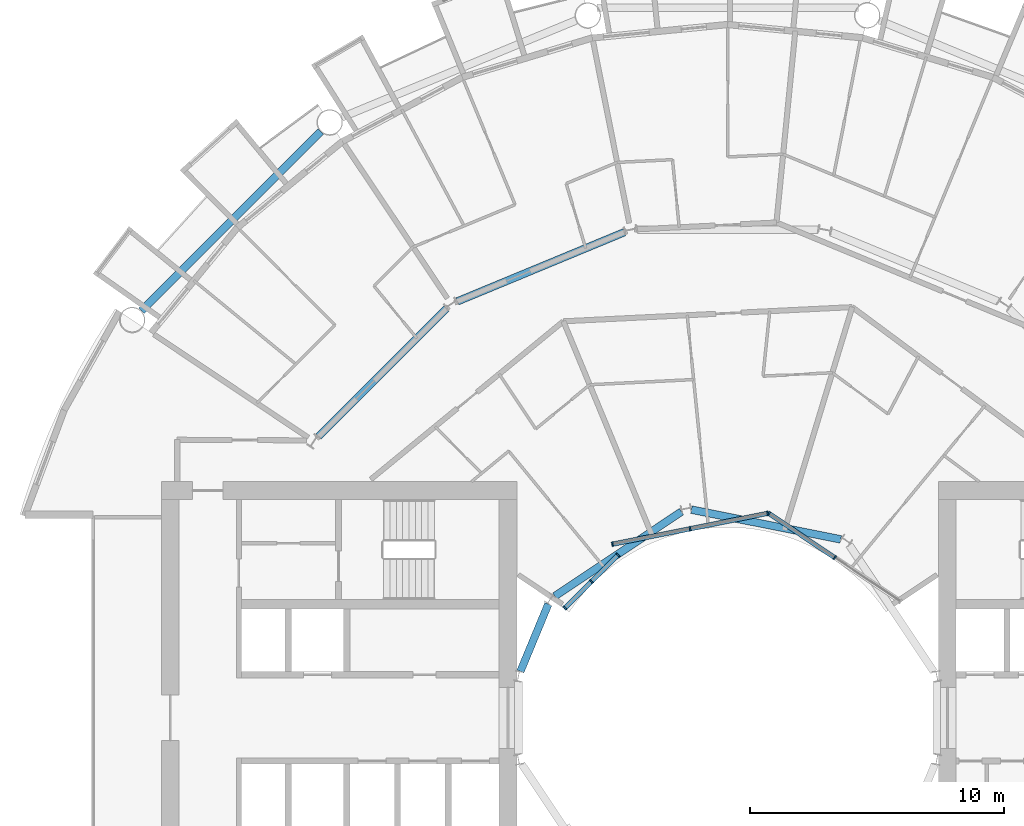
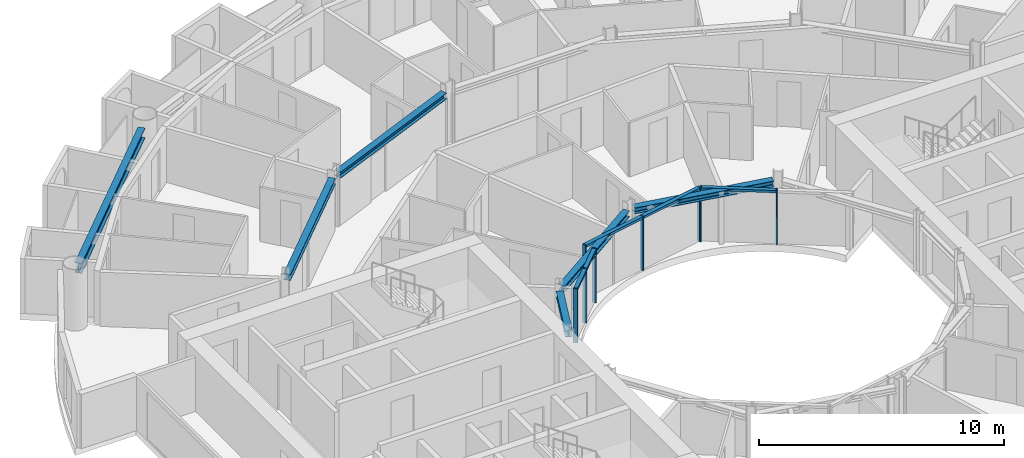
# One storey, part 7 of 26: 13 members, 6 beams, 3 elements without a shape of their own.
"""IFC4 building model written with IfcOpenShell, lengths in metres."""

from ifc_helpers import new_model, si_unit, direction, frame, origin, origin_2d, place, context, subcontext, project, spatial, rectangle, i_section, extrude, material, layer, layer_set, material_profile, profile_set, type_object, element, aggregate, save


model = new_model("IFC4")

# Units and contexts
model_context = context("Model", 3, precision=1e-05, world=origin(), true_north=direction((0.0, 1.0)))
body_context = subcontext(model_context, "Body", "Model", "MODEL_VIEW")
ifc_project = project(units=[si_unit("LENGTHUNIT", "METRE"), si_unit("AREAUNIT", "SQUARE_METRE"), si_unit("VOLUMEUNIT", "CUBIC_METRE"), si_unit("PLANEANGLEUNIT", "RADIAN"), si_unit("MASSUNIT", "GRAM", prefix="KILO")], contexts=[model_context])

# Site, building, storey
site_placement = place(None, origin())
site = spatial("IfcSite", under=ifc_project, at=site_placement, CompositionType="ELEMENT")
building_placement = place(site_placement, origin())
building = spatial("IfcBuilding", under=site, at=building_placement, Name="Maasbend Ring Residences", CompositionType="ELEMENT")
storey_placement = place(building_placement, frame((0.0, 0.0, 69.699951171875)))
storey = spatial("IfcBuildingStorey", under=building, at=storey_placement, Name="L19", CompositionType="ELEMENT", Elevation=69.699951171875)

# Curtain wall, members
ifc_material_1 = material(Name="Aluminium and clear glass", Category="aluminium")
ifc_layer = layer(ifc_material_1, 0.179931640625)
ifc_layer_set = layer_set([ifc_layer], Name="CW-W")
curtain_wall_type = type_object("IfcCurtainWallType", Name="CW-W", PredefinedType="NOTDEFINED", material=ifc_layer_set)
curtain_wall_1_placement = place(storey_placement, origin())
curtain_wall_1 = element("IfcCurtainWall", 1, at=curtain_wall_1_placement, inside=storey, type_object=curtain_wall_type, Name="Well curtain wall N1", PredefinedType="NOTDEFINED")
ifc_material_2 = material(Name="Aluminium 6063-T6", Category="aluminium")
ifc_material_profile_1 = material_profile(ifc_material_2, rectangle(XDim=0.179931640625, YDim=0.06005859375, at=origin_2d()), Name="AL 180x60")
ifc_profile_set_1 = profile_set([ifc_material_profile_1], Name="Aluminium 6063-T6")
member_type_1 = type_object("IfcMemberType", Name="CWM-W", PredefinedType="MULLION", material=ifc_profile_set_1)
member_1_placement = place(storey_placement, frame((4.216796875, 6.310791015625, 0.0), z_axis=(0.0, 0.0, 1.0), x_axis=(-0.55557023302, -0.831469612303, 0.0)))
member_1 = element("IfcMember", 2, at=member_1_placement, type_object=member_type_1, Name="Mullion well face", PredefinedType="MULLION", context=body_context, shape_type="SweptSolid", body=[
    extrude(rectangle(XDim=0.179931640625, YDim=0.06005859375, at=origin_2d()), origin(), (0.0, 0.0, 1.0), 2.699951171875),
])
member_2_placement = place(storey_placement, frame((1.627685546875, 8.040771484375, 0.0), z_axis=(0.0, 0.0, 1.0), x_axis=(-0.55557023302, -0.831469612303, 0.0)))
member_2 = element("IfcMember", 3, at=member_2_placement, type_object=member_type_1, Name="Mullion well face", PredefinedType="MULLION", context=body_context, shape_type="SweptSolid", body=[
    extrude(rectangle(XDim=0.179931640625, YDim=0.06005859375, at=origin_2d()), origin(), (0.0, 0.0, 1.0), 2.699951171875),
])

curtain_wall_2_placement = place(storey_placement, origin())
curtain_wall_2 = element("IfcCurtainWall", 4, at=curtain_wall_2_placement, inside=storey, type_object=curtain_wall_type, Name="Well curtain wall N2", PredefinedType="NOTDEFINED")
member_3_placement = place(storey_placement, frame((1.5732421875, 8.0517578125, 0.0), z_axis=(0.0, 0.0, 1.0), x_axis=(0.195090322016, -0.980785280403, 0.0)))
member_3 = element("IfcMember", 5, at=member_3_placement, type_object=member_type_1, Name="Mullion well face", PredefinedType="MULLION", context=body_context, shape_type="SweptSolid", body=[
    extrude(rectangle(XDim=0.179931640625, YDim=0.06005859375, at=origin_2d()), origin(), (0.0, 0.0, 1.0), 2.699951171875),
])
member_4_placement = place(storey_placement, frame((-1.480712890625, 7.444091796875, 0.0), z_axis=(0.0, 0.0, 1.0), x_axis=(0.195090322016, -0.980785280403, 0.0)))
member_4 = element("IfcMember", 6, at=member_4_placement, type_object=member_type_1, Name="Mullion well face", PredefinedType="MULLION", context=body_context, shape_type="SweptSolid", body=[
    extrude(rectangle(XDim=0.179931640625, YDim=0.06005859375, at=origin_2d()), origin(), (0.0, 0.0, 1.0), 2.699951171875),
])
member_5_placement = place(storey_placement, frame((-4.53466796875, 6.836669921875, 0.0), z_axis=(0.0, 0.0, 1.0), x_axis=(0.195090322016, -0.980785280403, 0.0)))
member_5 = element("IfcMember", 7, at=member_5_placement, type_object=member_type_1, Name="Mullion well face", PredefinedType="MULLION", context=body_context, shape_type="SweptSolid", body=[
    extrude(rectangle(XDim=0.179931640625, YDim=0.06005859375, at=origin_2d()), origin(), (0.0, 0.0, 1.0), 2.699951171875),
])

curtain_wall_3_placement = place(storey_placement, origin())
curtain_wall_3 = element("IfcCurtainWall", 8, at=curtain_wall_3_placement, inside=storey, type_object=curtain_wall_type, Name="Well curtain wall N3", PredefinedType="NOTDEFINED")
member_6_placement = place(storey_placement, frame((-4.320556640625, 6.413330078125, 0.0), z_axis=(0.0, 0.0, 1.0), x_axis=(0.707106781187, -0.707106781187, 0.0)))
member_6 = element("IfcMember", 9, at=member_6_placement, type_object=member_type_1, Name="Mullion well face", PredefinedType="MULLION", context=body_context, shape_type="SweptSolid", body=[
    extrude(rectangle(XDim=0.179931640625, YDim=0.06005859375, at=origin_2d()), origin(), (0.0, 0.0, 1.0), 2.699951171875),
])
member_7_placement = place(storey_placement, frame((-5.366943359375, 5.366943359375, 0.0), z_axis=(0.0, 0.0, 1.0), x_axis=(0.707106781187, -0.707106781187, 0.0)))
member_7 = element("IfcMember", 10, at=member_7_placement, type_object=member_type_1, Name="Mullion well face", PredefinedType="MULLION", context=body_context, shape_type="SweptSolid", body=[
    extrude(rectangle(XDim=0.179931640625, YDim=0.06005859375, at=origin_2d()), origin(), (0.0, 0.0, 1.0), 2.699951171875),
])
member_8_placement = place(storey_placement, frame((-6.413330078125, 4.320556640625, 0.0), z_axis=(0.0, 0.0, 1.0), x_axis=(0.707106781187, -0.707106781187, 0.0)))
member_8 = element("IfcMember", 11, at=member_8_placement, type_object=member_type_1, Name="Mullion well face", PredefinedType="MULLION", context=body_context, shape_type="SweptSolid", body=[
    extrude(rectangle(XDim=0.179931640625, YDim=0.06005859375, at=origin_2d()), origin(), (0.0, 0.0, 1.0), 2.699951171875),
])

# Member
ifc_material_3 = material(Name="Aluminium 6063-T6", Category="aluminium")
ifc_material_profile_2 = material_profile(ifc_material_3, rectangle(XDim=0.179931640625, YDim=0.1201171875, at=origin_2d()), Name="AL 180x120")
ifc_profile_set_2 = profile_set([ifc_material_profile_2], Name="Aluminium 6063-T6")
member_type_2 = type_object("IfcMemberType", Name="CWT-W", PredefinedType="USERDEFINED", material=ifc_profile_set_2)
member_9_placement = place(storey_placement, frame((4.19189453125, 6.32763671875, 2.64013671875), z_axis=(-0.831496422459, 0.555530106689, 0.0), x_axis=(-0.555530106689, -0.831496422459, 0.0)))
member_9 = element("IfcMember", 12, at=member_9_placement, type_object=member_type_2, Name="Transom well face", ObjectType="TRANSOM", PredefinedType="USERDEFINED", context=body_context, shape_type="SweptSolid", body=[
    extrude(rectangle(XDim=0.179931640625, YDim=0.1201171875, at=origin_2d()), origin(), (0.0, 0.0, 1.0), 3.053955078125),
])

aggregate(curtain_wall_1, [member_1, member_2, member_9])

member_10_placement = place(storey_placement, frame((1.5439453125, 8.0458984375, 2.64013671875), z_axis=(-0.980776956105, -0.195132166424, 0.0), x_axis=(0.195132166424, -0.980776956105, 0.0)))
member_10 = element("IfcMember", 13, at=member_10_placement, type_object=member_type_2, Name="Transom well face", ObjectType="TRANSOM", PredefinedType="USERDEFINED", context=body_context, shape_type="SweptSolid", body=[
    extrude(rectangle(XDim=0.179931640625, YDim=0.1201171875, at=origin_2d()), origin(), (0.0, 0.0, 1.0), 3.053955078125),
])

member_11_placement = place(storey_placement, frame((-1.51025390625, 7.438232421875, 2.64013671875), z_axis=(-0.980789210404, -0.19507056353, 0.0), x_axis=(0.19507056353, -0.980789210404, 0.0)))
member_11 = element("IfcMember", 14, at=member_11_placement, type_object=member_type_2, Name="Transom well face", ObjectType="TRANSOM", PredefinedType="USERDEFINED", context=body_context, shape_type="SweptSolid", body=[
    extrude(rectangle(XDim=0.179931640625, YDim=0.1201171875, at=origin_2d()), origin(), (0.0, 0.0, 1.0), 3.0537109375),
])

aggregate(curtain_wall_2, [member_3, member_4, member_5, member_10, member_11])

member_12_placement = place(storey_placement, frame((-4.341796875, 6.39208984375, 2.64013671875), z_axis=(-0.707106781187, -0.707106781187, 0.0), x_axis=(0.707106781187, -0.707106781187, 0.0)))
member_12 = element("IfcMember", 15, at=member_12_placement, type_object=member_type_2, Name="Transom well face", ObjectType="TRANSOM", PredefinedType="USERDEFINED", context=body_context, shape_type="SweptSolid", body=[
    extrude(rectangle(XDim=0.179931640625, YDim=0.1201171875, at=origin_2d()), origin(), (0.0, 0.0, 1.0), 1.419677734375),
])

member_13_placement = place(storey_placement, frame((-5.38818359375, 5.345703125, 2.64013671875), z_axis=(-0.707106781187, -0.707106781187, 0.0), x_axis=(0.707106781187, -0.707106781187, 0.0)))
member_13 = element("IfcMember", 16, at=member_13_placement, type_object=member_type_2, Name="Transom well face", ObjectType="TRANSOM", PredefinedType="USERDEFINED", context=body_context, shape_type="SweptSolid", body=[
    extrude(rectangle(XDim=0.179931640625, YDim=0.1201171875, at=origin_2d()), origin(), (0.0, 0.0, 1.0), 1.419677734375),
])

aggregate(curtain_wall_3, [member_6, member_7, member_8, member_12, member_13])

# Beams
ifc_material_4 = material(Name="Steel S355J2", Category="steel")
ifc_material_profile_3 = material_profile(ifc_material_4, i_section(OverallWidth=0.300048828125, OverallDepth=0.300048828125, WebThickness=0.010986328125, FlangeThickness=0.01904296875, FilletRadius=0.027099609375, at=origin_2d()), Name="HEB 300")
ifc_profile_set_3 = profile_set([ifc_material_profile_3], Name="Steel S355J2")
beam_type_1 = type_object("IfcBeamType", Name="Corridor ring beam HEB 300", PredefinedType="BEAM", material=ifc_profile_set_3)
for number, where, z_axis, x_axis, name in (
    (17, (-4.070556640625, 19.12109375, 2.550048828125), (-0.923877113721, -0.382689271788, 0.0), (0.382689271788, -0.923877113721, 0.0), "Corridor ring beam"),
    (18, (-11.078125, 16.10791015625, 2.550048828125), (-0.707106781187, -0.707106781187, 0.0), (0.707106781187, -0.707106781187, 0.0), "Corridor ring beam"),
):
    element("IfcBeam", number, at=place(storey_placement, frame(where, z_axis=z_axis, x_axis=x_axis)), inside=storey, type_object=beam_type_1, Name=name, PredefinedType="BEAM", context=body_context, shape_type="SweptSolid", body=[
        extrude(i_section(OverallWidth=0.300048828125, OverallDepth=0.300048828125, WebThickness=0.010986328125, FlangeThickness=0.01904296875, FilletRadius=0.027099609375, at=origin_2d()), origin(), (0.0, 0.0, 1.0), 7.11328125),
    ])
ifc_material_5 = material(Name="Steel S355J2", Category="steel")
ifc_material_profile_4 = material_profile(ifc_material_5, i_section(OverallWidth=0.300048828125, OverallDepth=0.5, WebThickness=0.014404296875, FlangeThickness=0.028076171875, FilletRadius=0.027099609375, at=origin_2d()), Name="HEB 500")
ifc_profile_set_4 = profile_set([ifc_material_profile_4], Name="Steel S355J2")
beam_type_2 = type_object("IfcBeamType", Name="Spandrel ring beam HEB 500", PredefinedType="SPANDREL", material=ifc_profile_set_4)
beam_1_placement = place(storey_placement, frame((-16.0263671875, 23.088134765625, 2.449951171875), z_axis=(-0.707106781187, -0.707106781187, 0.0), x_axis=(0.707106781187, -0.707106781187, 0.0)))
element("IfcBeam", 19, at=beam_1_placement, inside=storey, type_object=beam_type_2, Name="Spandrel ring beam", PredefinedType="SPANDREL", context=body_context, shape_type="SweptSolid", body=[
    extrude(i_section(OverallWidth=0.300048828125, OverallDepth=0.5, WebThickness=0.014404296875, FlangeThickness=0.028076171875, FilletRadius=0.027099609375, at=origin_2d()), origin(), (0.0, 0.0, 1.0), 9.98681640625),
])
ifc_material_6 = material(Name="Steel S355J2", Category="steel")
ifc_material_profile_5 = material_profile(ifc_material_6, i_section(OverallWidth=0.300048828125, OverallDepth=0.300048828125, WebThickness=0.010986328125, FlangeThickness=0.01904296875, FilletRadius=0.027099609375, at=origin_2d()), Name="HEB 300")
ifc_profile_set_5 = profile_set([ifc_material_profile_5], Name="Steel S355J2")
beam_type_3 = type_object("IfcBeamType", Name="Well edge beam HEB 300", PredefinedType="BEAM", material=ifc_profile_set_5)
beam_2_placement = place(storey_placement, frame((4.45458984375, 7.026611328125, 2.550048828125), z_axis=(-0.980789954577, 0.195066821885, 0.0), x_axis=(-0.195066821885, -0.980789954577, 0.0)))
element("IfcBeam", 20, at=beam_2_placement, inside=storey, type_object=beam_type_3, Name="Well edge beam", PredefinedType="BEAM", context=body_context, shape_type="SweptSolid", body=[
    extrude(i_section(OverallWidth=0.300048828125, OverallDepth=0.300048828125, WebThickness=0.010986328125, FlangeThickness=0.01904296875, FilletRadius=0.027099609375, at=origin_2d()), origin(), (0.0, 0.0, 1.0), 5.996337890625),
])
beam_3_placement = place(storey_placement, frame((-1.81884765625, 8.118408203125, 2.550048828125), z_axis=(-0.83145471117, -0.555592533493, 0.0), x_axis=(0.555592533493, -0.83145471117, 0.0)))
element("IfcBeam", 21, at=beam_3_placement, inside=storey, type_object=beam_type_3, Name="Well edge beam", PredefinedType="BEAM", context=body_context, shape_type="SweptSolid", body=[
    extrude(i_section(OverallWidth=0.300048828125, OverallDepth=0.300048828125, WebThickness=0.010986328125, FlangeThickness=0.01904296875, FilletRadius=0.027099609375, at=origin_2d()), origin(), (0.0, 0.0, 1.0), 5.995849609375),
])
beam_4_placement = place(storey_placement, frame((-7.062255859375, 4.478515625, 2.550048828125), z_axis=(-0.382729955172, -0.923860260761, 0.0), x_axis=(0.923860260761, -0.382729955172, 0.0)))
element("IfcBeam", 22, at=beam_4_placement, inside=storey, type_object=beam_type_3, Name="Well edge beam", PredefinedType="BEAM", context=body_context, shape_type="SweptSolid", body=[
    extrude(i_section(OverallWidth=0.300048828125, OverallDepth=0.300048828125, WebThickness=0.010986328125, FlangeThickness=0.01904296875, FilletRadius=0.027099609375, at=origin_2d()), origin(), (0.0, 0.0, 1.0), 2.869873046875),
])

save(model, "model.ifc")
